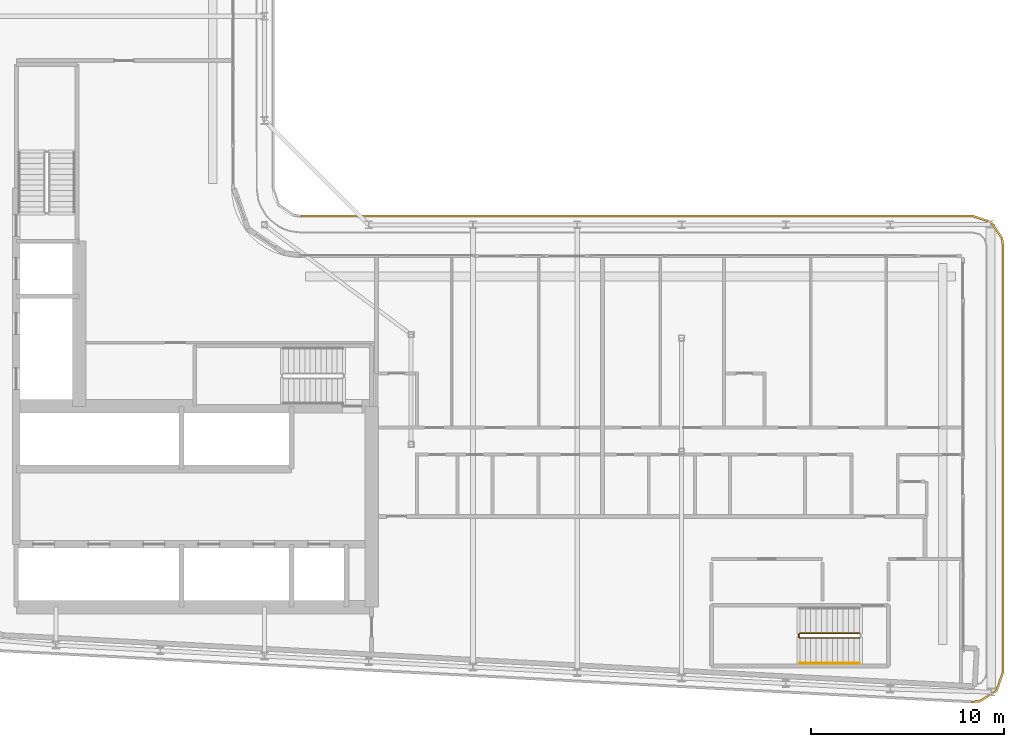
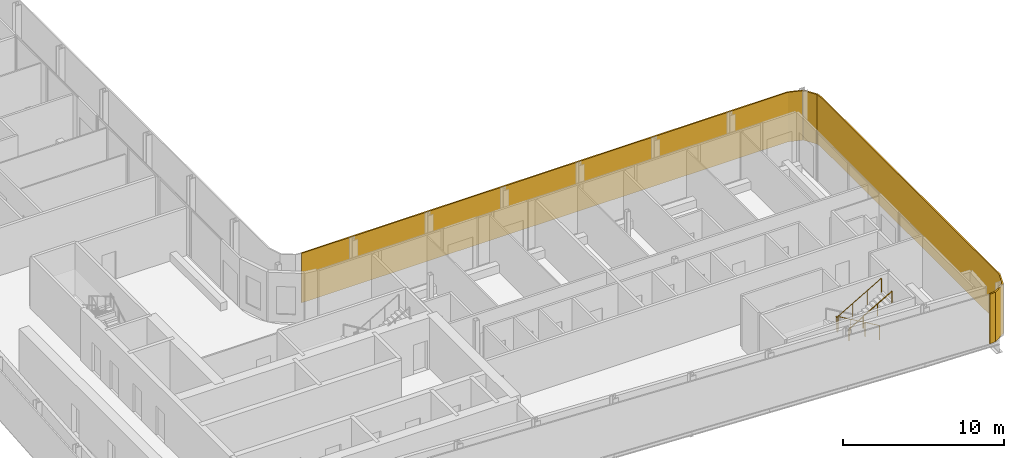
# One storey, part 18 of 22: 2 railings, 1 shading device.
"""IFC4 building model written with IfcOpenShell, lengths in metres."""

from ifc_helpers import new_model, si_unit, direction, frame, origin, origin_2d, place, context, subcontext, project, spatial, polyline, circle, outline, extrude, material, layer, layer_set, type_object, element, save


model = new_model("IFC4")

# Units and contexts
model_context = context("Model", 3, precision=1e-05, world=origin(), true_north=direction((0.0, 1.0)))
body_context = subcontext(model_context, "Body", "Model", "MODEL_VIEW")
ifc_project = project(units=[si_unit("LENGTHUNIT", "METRE"), si_unit("AREAUNIT", "SQUARE_METRE"), si_unit("VOLUMEUNIT", "CUBIC_METRE"), si_unit("PLANEANGLEUNIT", "RADIAN"), si_unit("MASSUNIT", "GRAM", prefix="KILO")], contexts=[model_context])

# Site, building, storey
site_placement = place(None, origin())
site = spatial("IfcSite", under=ifc_project, at=site_placement, CompositionType="ELEMENT")
building_placement = place(site_placement, origin())
building = spatial("IfcBuilding", under=site, at=building_placement, Name="Kheshtan School and Residences Tower", CompositionType="ELEMENT")
storey_placement = place(building_placement, frame((0.0, 0.0, 263.0)))
storey = spatial("IfcBuildingStorey", under=building, at=storey_placement, Name="L62", CompositionType="ELEMENT", Elevation=263.0)

# Shading device
ifc_material_1 = material(Name="Terracotta lattice, extruded ceramic", Category="masonry")
ifc_layer = layer(ifc_material_1, 0.10009765625)
ifc_layer_set = layer_set([ifc_layer], Name="Loggia screen, terracotta lattice")
shading_device_type = type_object("IfcShadingDeviceType", Name="Loggia screen, terracotta lattice", PredefinedType="USERDEFINED", material=ifc_layer_set)
shading_device_placement = place(storey_placement, origin())
element("IfcShadingDevice", 1, at=shading_device_placement, inside=storey, type_object=shading_device_type, Name="Screen L62 2", ObjectType="SCREEN", PredefinedType="USERDEFINED", context=body_context, shape_type="SweptSolid", body=[
    extrude(outline(polyline([(49.5, 46.0), (84.300048828125, 46.0), (85.212890625, 45.68994140625), (85.7490234375, 44.887939453125), (85.800048828125, 44.5), (85.800048828125, 22.43408203125), (85.469970703125, 21.4951171875), (84.6240234375, 20.968994140625), (84.220947265625, 20.93603515625), (84.22900390625, 20.8359375), (84.656005859375, 20.87109375), (85.552978515625, 21.428955078125), (85.89990234375, 22.4169921875), (85.89990234375, 44.507080078125), (85.844970703125, 44.924072265625), (85.277099609375, 45.77392578125), (84.31689453125, 46.10009765625), (49.5, 46.10009765625), (49.5, 46.0)])), origin(), (0.0, 0.0, 1.0), 3.75),
])

# Railings
ifc_material_2 = material(Name="Stainless steel balustrade", Category="steel")
railing_type_1 = type_object("IfcRailingType", Name="Stair guard 1100", PredefinedType="GUARDRAIL", material=ifc_material_2)
railing_1_placement = place(storey_placement, frame((78.409912109375, 24.449951171875, 0.16259765625)))
element("IfcRailing", 2, at=railing_1_placement, inside=storey, type_object=railing_type_1, Name="L62 ST5 stair guard 1", PredefinedType="GUARDRAIL", context=body_context, shape_type="SweptSolid", body=[
    extrude(circle(Radius=0.02392578125, at=origin_2d()), frame((0.0, 0.0, 1.076171875), z_axis=(-0.864903211148, 0.0, 0.501938676878), x_axis=(0.0, -1.0, 0.0)), (0.0, 0.0, 1.0), 3.560791015625),
    extrude(circle(Radius=0.02392578125, at=origin_2d()), frame((-3.079833984375, 0.0, 2.86328125), z_axis=(-0.707106781187, -0.707106781187, 0.0), x_axis=(0.707106781187, -0.707106781187, 0.0)), (0.0, 0.0, 1.0), 0.07080078125),
    extrude(circle(Radius=0.02392578125, at=origin_2d()), frame((-3.1298828125, -0.050048828125, 2.86328125), z_axis=(0.0, -1.0, 0.0), x_axis=(1.0, 0.0, 0.0)), (0.0, 0.0, 1.0), 0.14990234375),
    extrude(circle(Radius=0.02392578125, at=origin_2d()), frame((-3.1298828125, -0.199951171875, 2.86328125), z_axis=(0.282227285176, -0.282227285176, 0.916894497205), x_axis=(0.707106781187, 0.707106781187, 0.0)), (0.0, 0.0, 1.0), 0.17724609375),
    extrude(circle(Radius=0.02392578125, at=origin_2d()), frame((-3.079833984375, -0.25, 3.02587890625), z_axis=(0.864903211148, 0.0, 0.501938676878), x_axis=(0.0, 1.0, 0.0)), (0.0, 0.0, 1.0), 3.560791015625),
    extrude(circle(Radius=0.02099609375, at=origin_2d()), origin(), (0.0, 0.0, 1.0), 1.052001953125),
    extrude(circle(Radius=0.02099609375, at=origin_2d()), frame((-1.026611328125, 0.0, 0.595703125)), (0.0, 0.0, 1.0), 1.052001953125),
    extrude(circle(Radius=0.02099609375, at=origin_2d()), frame((-2.05322265625, 0.0, 1.191650390625)), (0.0, 0.0, 1.0), 1.052001953125),
    extrude(circle(Radius=0.02099609375, at=origin_2d()), frame((-3.079833984375, 0.0, 1.787353515625)), (0.0, 0.0, 1.0), 1.052001953125),
    extrude(circle(Radius=0.02099609375, at=origin_2d()), frame((-3.1298828125, -0.050048828125, 1.787353515625)), (0.0, 0.0, 1.0), 1.052001953125),
    extrude(circle(Radius=0.02099609375, at=origin_2d()), frame((-3.1298828125, -0.199951171875, 1.787353515625)), (0.0, 0.0, 1.0), 1.052001953125),
    extrude(circle(Radius=0.02099609375, at=origin_2d()), frame((-3.079833984375, -0.25, 1.949951171875)), (0.0, 0.0, 1.0), 1.052001953125),
    extrude(circle(Radius=0.02099609375, at=origin_2d()), frame((-2.05322265625, -0.25, 2.545654296875)), (0.0, 0.0, 1.0), 1.052001953125),
    extrude(circle(Radius=0.02099609375, at=origin_2d()), frame((-1.026611328125, -0.25, 3.1416015625)), (0.0, 0.0, 1.0), 1.052001953125),
    extrude(circle(Radius=0.02099609375, at=origin_2d()), frame((0.0, -0.25, 3.7373046875)), (0.0, 0.0, 1.0), 1.052001953125),
])
ifc_material_3 = material(Name="Stainless steel handrail", Category="steel")
railing_type_2 = type_object("IfcRailingType", Name="Stair handrail 900", PredefinedType="HANDRAIL", material=ifc_material_3)
railing_2_placement = place(storey_placement, frame((75.330078125, 22.89990234375, 2.112548828125)))
element("IfcRailing", 3, at=railing_2_placement, inside=storey, type_object=railing_type_2, Name="L62 ST5 stair handrail 2", PredefinedType="HANDRAIL", context=body_context, shape_type="SweptSolid", body=[
    extrude(circle(Radius=0.02392578125, at=origin_2d()), frame((0.0, 0.0, 0.8759765625), z_axis=(0.864903211148, 0.0, 0.501938676878), x_axis=(0.0, 1.0, 0.0)), (0.0, 0.0, 1.0), 3.560791015625),
    extrude(circle(Radius=0.02099609375, at=origin_2d()), origin(), (0.0, 0.0, 1.0), 0.851806640625),
    extrude(circle(Radius=0.02099609375, at=origin_2d()), frame((1.026611328125, 0.0, 0.595703125)), (0.0, 0.0, 1.0), 0.851806640625),
    extrude(circle(Radius=0.02099609375, at=origin_2d()), frame((2.05322265625, 0.0, 1.191650390625)), (0.0, 0.0, 1.0), 0.851806640625),
    extrude(circle(Radius=0.02099609375, at=origin_2d()), frame((3.079833984375, 0.0, 1.787353515625)), (0.0, 0.0, 1.0), 0.851806640625),
])

save(model, "model.ifc")
